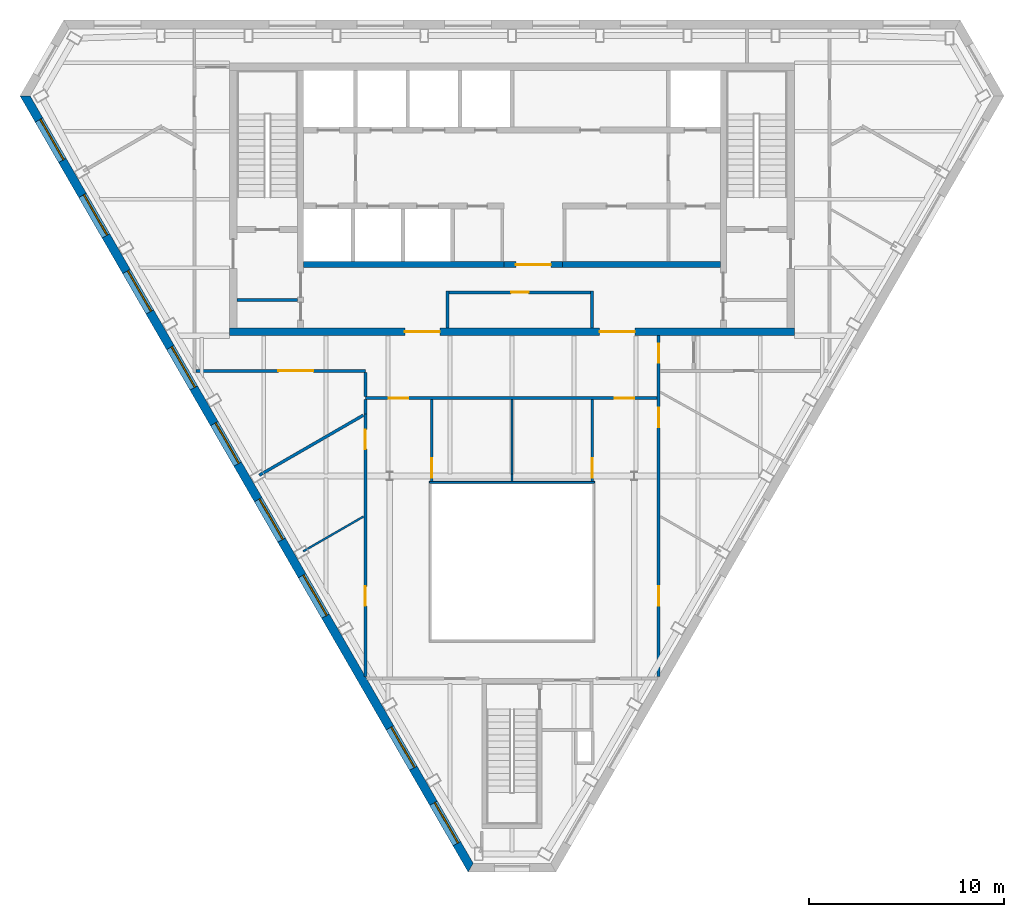
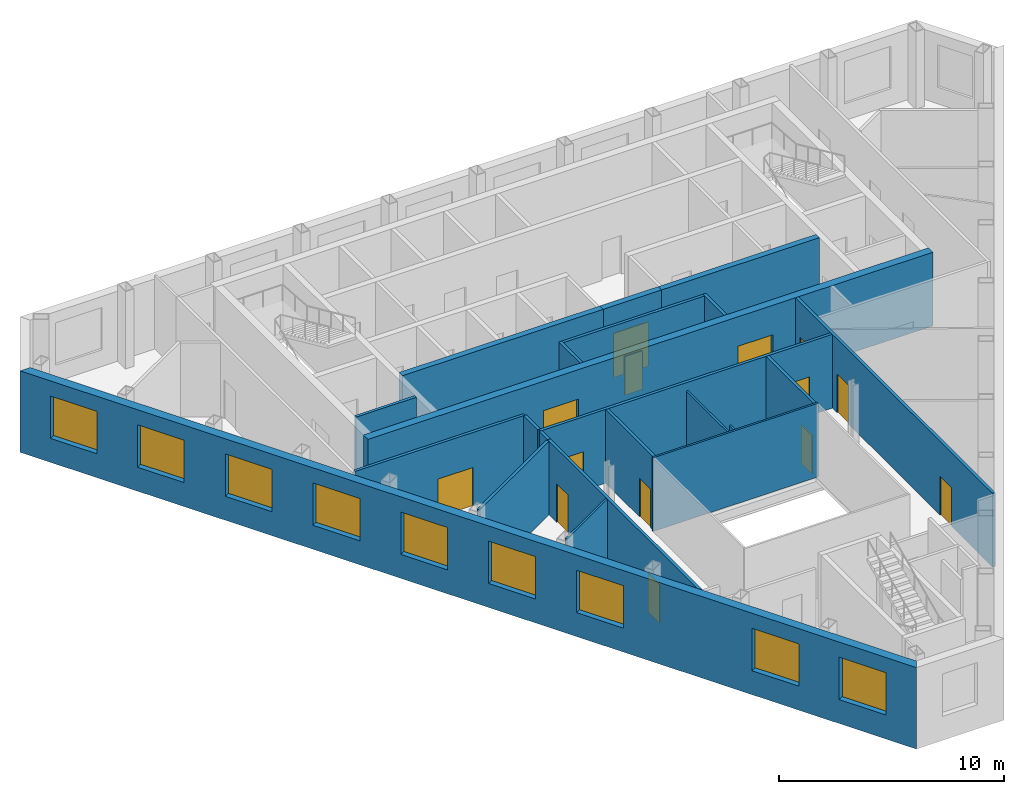
# One storey, part 5 of 11: 22 walls, 14 doors, 9 windows, 23 openings.
"""IFC4 building model written with IfcOpenShell, lengths in metres."""

import ifcopenshell
import ifcopenshell.guid

model = None  # the IFC model being written
_history = None  # IfcOwnerHistory: only IFC2X3 demands one
_inside = {}  # id of a spatial element -> (the spatial element, [elements in it])
_under = {}  # id of a project, library or spatial element -> (it, [spatial elements below it])
_declared = {}  # id of a project -> (the project, [libraries it declares])
_typed = {}  # id of a type object -> (the type object, [elements of that type])
_made_of = {}  # id of a material, layer set ... -> (it, [elements and type objects made of it])


def new_model(schema):
    """Start an empty IFC model of exactly this schema.

    Asked for "IFC4X3", IfcOpenShell would pick the latest addendum, in which some entities
    have other attributes; the version numbers below select the first issue.
    IFC2X3 requires an IfcOwnerHistory on every rooted entity: one is made here for all.
    """
    global model, _history
    if schema == "IFC4X3":
        model = ifcopenshell.file(schema_version=(4, 3, 0, 0))
    else:
        model = ifcopenshell.file(schema=schema)
    _inside.clear()
    _under.clear()
    _declared.clear()
    _typed.clear()
    _made_of.clear()
    _history = None
    if model.schema == "IFC2X3":
        org = make("IfcOrganization", Name="unknown")
        user = make(
            "IfcPersonAndOrganization",
            ThePerson=make("IfcPerson", FamilyName="unknown"),
            TheOrganization=org,
        )
        app = make(
            "IfcApplication",
            ApplicationDeveloper=org,
            Version="unknown",
            ApplicationFullName="unknown",
            ApplicationIdentifier="unknown",
        )
        _history = make(
            "IfcOwnerHistory",
            OwningUser=user,
            OwningApplication=app,
            ChangeAction="ADDED",
            CreationDate=0,
        )
    return model


def make(cls, **values):
    """One entity of the class cls with the attributes given. An attribute that is None is left unset."""
    return model.create_entity(
        cls, **{name: value for name, value in values.items() if value is not None}
    )


def rooted(cls, **values):
    """An entity with a GlobalId (a new one), such as an element, a storey or a relation."""
    return make(cls, GlobalId=ifcopenshell.guid.new(), OwnerHistory=_history, **values)


def si_unit(unit_type, name, prefix=None):
    """IfcSIUnit, for example si_unit("LENGTHUNIT", "METRE", prefix="MILLI")."""
    return make("IfcSIUnit", UnitType=unit_type, Prefix=prefix, Name=name)


def assignment(units):
    """IfcUnitAssignment: the units of a project."""
    return None if units is None else make("IfcUnitAssignment", Units=units)


def point(xyz):
    """IfcCartesianPoint."""
    return None if xyz is None else make("IfcCartesianPoint", Coordinates=xyz)


def direction(xyz):
    """IfcDirection."""
    return None if xyz is None else make("IfcDirection", DirectionRatios=xyz)


def frame(location, z_axis=None, x_axis=None):
    """IfcAxis2Placement3D, a coordinate frame: its origin and axes. An axis left out is left unset."""
    return make(
        "IfcAxis2Placement3D",
        Location=point(location),
        Axis=direction(z_axis),
        RefDirection=direction(x_axis),
    )


def frame_2d(location, x_axis=None):
    """IfcAxis2Placement2D, a coordinate frame in the plane: its origin and x axis."""
    return make(
        "IfcAxis2Placement2D", Location=point(location), RefDirection=direction(x_axis)
    )


def origin():
    """The frame at (0, 0, 0) with its axes left unset."""
    return frame((0.0, 0.0, 0.0))


def place(relative_to, where):
    """IfcLocalPlacement: puts the frame where relative to a parent placement (None: the world)."""
    return make(
        "IfcLocalPlacement", PlacementRelTo=relative_to, RelativePlacement=where
    )


def context(
    kind, dimensions, precision=None, world=None, true_north=None, identifier=None
):
    """IfcGeometricRepresentationContext, for example the 3D "Model" context."""
    return make(
        "IfcGeometricRepresentationContext",
        ContextIdentifier=identifier,
        ContextType=kind,
        CoordinateSpaceDimension=dimensions,
        Precision=precision,
        WorldCoordinateSystem=world,
        TrueNorth=true_north,
    )


def subcontext(parent, identifier, kind, view, scale=None):
    """IfcGeometricRepresentationSubContext, for example "Body" below "Model"."""
    return make(
        "IfcGeometricRepresentationSubContext",
        ContextIdentifier=identifier,
        ContextType=kind,
        ParentContext=parent,
        TargetScale=scale,
        TargetView=view,
    )


def project(units=None, contexts=None):
    """IfcProject with its units and contexts."""
    return rooted(
        "IfcProject",
        Name="project",
        RepresentationContexts=contexts,
        UnitsInContext=assignment(units),
    )


def spatial(cls, under=None, at=None, **own):
    """A site, building, storey or space (cls), placed at a placement, below another one or the project."""
    s = rooted(cls, ObjectPlacement=at, **own)
    if under is not None:
        _under.setdefault(under.id(), (under, []))[1].append(s)
    return s


def polyline(points):
    """IfcPolyline through the points."""
    return make("IfcPolyline", Points=[point(p) for p in points])


def profile(cls, at=None, kind="AREA", **sizes):
    """A parametric profile (cls). Its sizes go by their IFC names, for example OverallWidth=200.0."""
    return make(cls, ProfileType=kind, Position=at, **sizes)


def rectangle(**sizes):
    """IfcRectangleProfileDef."""
    return profile("IfcRectangleProfileDef", **sizes)


def outline(outer, holes=None, kind="AREA"):
    """IfcArbitraryClosedProfileDef: a profile drawn as a closed curve; with holes, ...WithVoids."""
    if holes is None:
        return make("IfcArbitraryClosedProfileDef", ProfileType=kind, OuterCurve=outer)
    return make(
        "IfcArbitraryProfileDefWithVoids",
        ProfileType=kind,
        OuterCurve=outer,
        InnerCurves=holes,
    )


def extrude(swept, where, along, depth):
    """IfcExtrudedAreaSolid: the profile swept, set in the frame where, extruded along a direction by depth."""
    return make(
        "IfcExtrudedAreaSolid",
        SweptArea=swept,
        Position=where,
        ExtrudedDirection=direction(along),
        Depth=depth,
    )


def shape(context_of_items, identifier, shape_type, items):
    """IfcShapeRepresentation: the items that make up one representation, for example the "Body"."""
    return make(
        "IfcShapeRepresentation",
        ContextOfItems=context_of_items,
        RepresentationIdentifier=identifier,
        RepresentationType=shape_type,
        Items=items,
    )


def material(Name=None, Category=None):
    """IfcMaterial."""
    return make("IfcMaterial", Name=Name, Category=Category)


def layer(
    of_material, thickness, ventilated=None, Name=None, Category=None, Priority=None
):
    """IfcMaterialLayer: one layer of a wall or slab, of a material (None: an air gap)."""
    return make(
        "IfcMaterialLayer",
        Material=of_material,
        LayerThickness=thickness,
        IsVentilated=ventilated,
        Name=Name,
        Category=Category,
        Priority=Priority,
    )


def layer_set(layers, Name=None):
    """IfcMaterialLayerSet."""
    return make("IfcMaterialLayerSet", MaterialLayers=layers, LayerSetName=Name)


def made_of(thing, what):
    """Note that an element or type object is made of a material, layer set ...; save() writes the relation."""
    if what is not None:
        _made_of.setdefault(what.id(), (what, []))[1].append(thing)
    return thing


def type_object(cls, material=None, **own):
    """A type object (cls), such as IfcWallType, which elements share."""
    return made_of(rooted(cls, **own), material)


def element(
    cls,
    number,
    at=None,
    inside=None,
    cuts=None,
    type_object=None,
    material=None,
    context=None,
    identifier="Body",
    shape_type=None,
    held_by="IfcProductDefinitionShape",
    body=None,
    shapes=None,
    **own,
):
    """One element of the class cls, such as IfcWall. Its Tag is "e" and its number.

    at: its placement. inside: the storey or other place that contains it. cuts: it is an
    opening in that element (IfcRelVoidsElement). A single representation is given by context,
    identifier, shape_type and body (its items); several are given by shapes. held_by: the class
    of the entity that holds the representations. save() writes the other relations.
    """
    e = rooted(cls, Tag="e%d" % number, ObjectPlacement=at, **own)
    if body is not None:
        shapes = [shape(context, identifier, shape_type, body)]
    if shapes is not None:
        e.Representation = make(held_by, Representations=shapes)
    if inside is not None:
        _inside.setdefault(inside.id(), (inside, []))[1].append(e)
    if cuts is not None:
        rooted(
            "IfcRelVoidsElement", RelatingBuildingElement=cuts, RelatedOpeningElement=e
        )
    if type_object is not None:
        _typed.setdefault(type_object.id(), (type_object, []))[1].append(e)
    return made_of(e, material)


def fill(opening, filler):
    """IfcRelFillsElement: the door or window that sits in an opening."""
    return rooted(
        "IfcRelFillsElement",
        RelatingOpeningElement=opening,
        RelatedBuildingElement=filler,
    )


def aggregate(whole, parts):
    """IfcRelAggregates: a whole, such as a stair, and the parts it consists of."""
    return rooted("IfcRelAggregates", RelatingObject=whole, RelatedObjects=parts)


def save(model, path):
    """Write the relations noted so far, then the file.

    IfcRelAggregates (storeys below a building ...), IfcRelContainedInSpatialStructure (elements
    in a storey), IfcRelDefinesByType, IfcRelAssociatesMaterial and IfcRelDeclares: one each for
    every whole, place, type object, material and project.
    """
    for whole, parts in _under.values():
        aggregate(whole, parts)
    for where, things in _inside.values():
        rooted(
            "IfcRelContainedInSpatialStructure",
            RelatedElements=things,
            RelatingStructure=where,
        )
    for kind, things in _typed.values():
        rooted("IfcRelDefinesByType", RelatedObjects=things, RelatingType=kind)
    for what, things in _made_of.values():
        rooted("IfcRelAssociatesMaterial", RelatedObjects=things, RelatingMaterial=what)
    for by, libraries in _declared.values():
        rooted("IfcRelDeclares", RelatingContext=by, RelatedDefinitions=libraries)
    model.write(path)


model = new_model("IFC4")

# Units and contexts
model_context = context("Model", 3, precision=1e-05, world=origin(), true_north=direction((0.0, 1.0)))
body_context = subcontext(model_context, "Body", "Model", "MODEL_VIEW")
ifc_project = project(units=[si_unit("LENGTHUNIT", "METRE"), si_unit("AREAUNIT", "SQUARE_METRE"), si_unit("VOLUMEUNIT", "CUBIC_METRE"), si_unit("PLANEANGLEUNIT", "RADIAN"), si_unit("MASSUNIT", "GRAM", prefix="KILO")], contexts=[model_context])

# Site, building, storey
site_placement = place(None, origin())
site = spatial("IfcSite", under=ifc_project, at=site_placement, CompositionType="ELEMENT")
building_placement = place(site_placement, origin())
building = spatial("IfcBuilding", under=site, at=building_placement, Name="Njiva Tower", CompositionType="ELEMENT")
storey_placement = place(building_placement, frame((0.0, 0.0, 316.8)))
storey = spatial("IfcBuildingStorey", under=building, at=storey_placement, Name="L72", CompositionType="ELEMENT", Elevation=316.8)

# Walls
ifc_material_1 = material(Name="Blockwork", Category="masonry")
ifc_layer_1 = layer(ifc_material_1, 0.15)
ifc_layer_set_1 = layer_set([ifc_layer_1], Name="Blockwork")
wall_type_1 = type_object("IfcWallType", Name="WT1 Compartment partition 150", PredefinedType="PARTITIONING", material=ifc_layer_set_1)
wall_1_placement = place(storey_placement, frame((-14.1, 5.825, 0.0), z_axis=(0.0, 0.0, 1.0), x_axis=(1.0, 0.0, 0.0)))
element("IfcWall", 1, at=wall_1_placement, inside=storey, type_object=wall_type_1, Name="Room wall A", PredefinedType="PARTITIONING", context=body_context, shape_type="SweptSolid", body=[
    extrude(rectangle(XDim=3.1, YDim=0.15, at=frame_2d((1.55, 0.0))), origin(), (0.0, 0.0, 1.0), 4.0),
])
for number, where, z_axis, x_axis, name in (
    (2, (-3.3, 4.4, 0.0), (0.0, 0.0, 1.0), (0.0, 1.0, 0.0), "Information office wall west"),
    (3, (4.1, 4.4, 0.0), (0.0, 0.0, 1.0), (0.0, 1.0, 0.0), "Information office wall east"),
):
    element("IfcWall", number, at=place(storey_placement, frame(where, z_axis=z_axis, x_axis=x_axis)), inside=storey, type_object=wall_type_1, Name=name, PredefinedType="PARTITIONING", context=body_context, shape_type="SweptSolid", body=[
        extrude(rectangle(XDim=1.895, YDim=0.15, at=frame_2d((0.9475, 0.0))), origin(), (0.0, 0.0, 1.0), 4.0),
    ])

# Wall, opening, door
wall_2_placement = place(storey_placement, frame((-3.225, 6.22, 0.0), z_axis=(0.0, 0.0, 1.0), x_axis=(1.0, 0.0, 0.0)))
wall_2 = element("IfcWall", 4, at=wall_2_placement, inside=storey, type_object=wall_type_1, Name="Information office wall north", PredefinedType="PARTITIONING", context=body_context, shape_type="SweptSolid", body=[
    extrude(rectangle(XDim=7.25, YDim=0.15, at=frame_2d((3.625, 0.0))), origin(), (0.0, 0.0, 1.0), 4.0),
])
opening_1_placement = place(wall_2_placement, frame((3.175, 0.0, 0.0)))
opening_1 = element("IfcOpeningElement", 5, at=opening_1_placement, cuts=wall_2, Name="Opening S24-D923", PredefinedType="OPENING", context=body_context, shape_type="SweptSolid", body=[
    extrude(rectangle(XDim=0.9, YDim=2.1, at=frame_2d((0.45, 1.05))), frame((0.0, 0.085, 0.0), z_axis=(0.0, -1.0, 0.0), x_axis=(1.0, 0.0, 0.0)), (0.0, 0.0, 1.0), 0.17),
])
ifc_material_2 = material(Name="Steel fire door, painted", Category="steel")
door_type_1 = type_object("IfcDoorType", Name="D6 Fire-rated door 900x2100", OperationType="SINGLE_SWING_LEFT", PredefinedType="DOOR", material=ifc_material_2)
door_1_placement = place(opening_1_placement, origin())
door_1 = element("IfcDoor", 6, at=door_1_placement, inside=storey, type_object=door_type_1, Name="Information office door", OperationType="SINGLE_SWING_LEFT", OverallHeight=2.1, OverallWidth=0.9, PredefinedType="DOOR", context=body_context, shape_type="SweptSolid", body=[
    extrude(rectangle(XDim=0.9, YDim=2.1, at=frame_2d((0.45, 1.05))), frame((0.0, 0.025, 0.0), z_axis=(0.0, -1.0, 0.0), x_axis=(1.0, 0.0, 0.0)), (0.0, 0.0, 1.0), 0.05),
])
fill(opening_1, door_1)

# Wall, openings, doors
ifc_material_3 = material(Name="Concrete C60/75", Category="concrete")
ifc_layer_2 = layer(ifc_material_3, 0.4)
ifc_layer_set_2 = layer_set([ifc_layer_2], Name="Concrete C60/75")
wall_type_2 = type_object("IfcWallType", Name="WT11 Core wall 400", PredefinedType="SHEAR", material=ifc_layer_set_2)
wall_3_placement = place(storey_placement, frame((-14.5, 4.2, 0.0), z_axis=(0.0, 0.0, 1.0), x_axis=(1.0, 0.0, 0.0)))
wall_3 = element("IfcWall", 7, at=wall_3_placement, inside=storey, type_object=wall_type_2, Name="Core wall south", PredefinedType="SHEAR", context=body_context, shape_type="SweptSolid", body=[
    extrude(rectangle(XDim=29.0, YDim=0.4, at=frame_2d((14.5, 0.0))), origin(), (0.0, 0.0, 1.0), 4.0),
])
opening_2_placement = place(wall_3_placement, frame((9.0, 0.0, 0.0)))
opening_2 = element("IfcOpeningElement", 8, at=opening_2_placement, cuts=wall_3, Name="Opening S24-D925", PredefinedType="OPENING", context=body_context, shape_type="SweptSolid", body=[
    extrude(rectangle(XDim=1.8, YDim=2.4, at=frame_2d((0.9, 1.2))), frame((0.0, 0.21, 0.0), z_axis=(0.0, -1.0, 0.0), x_axis=(1.0, 0.0, 0.0)), (0.0, 0.0, 1.0), 0.42),
])
opening_3_placement = place(wall_3_placement, frame((19.0, 0.0, 0.0)))
opening_3 = element("IfcOpeningElement", 9, at=opening_3_placement, cuts=wall_3, Name="Opening S24-D926", PredefinedType="OPENING", context=body_context, shape_type="SweptSolid", body=[
    extrude(rectangle(XDim=1.8, YDim=2.4, at=frame_2d((0.9, 1.2))), frame((0.0, 0.21, 0.0), z_axis=(0.0, -1.0, 0.0), x_axis=(1.0, 0.0, 0.0)), (0.0, 0.0, 1.0), 0.42),
])
ifc_material_4 = material(Name="Steel and glass door", Category="steel")
door_type_2 = type_object("IfcDoorType", Name="D3 Core entrance door 1800x2400", OperationType="DOUBLE_DOOR_SINGLE_SWING", PredefinedType="DOOR", material=ifc_material_4)
door_2_placement = place(opening_2_placement, origin())
door_2 = element("IfcDoor", 10, at=door_2_placement, inside=storey, type_object=door_type_2, Name="Core entrance door", OperationType="DOUBLE_DOOR_SINGLE_SWING", OverallHeight=2.4, OverallWidth=1.8, PredefinedType="DOOR", context=body_context, shape_type="SweptSolid", body=[
    extrude(rectangle(XDim=1.8, YDim=2.4, at=frame_2d((0.9, 1.2))), frame((0.0, 0.025, 0.0), z_axis=(0.0, -1.0, 0.0), x_axis=(1.0, 0.0, 0.0)), (0.0, 0.0, 1.0), 0.05),
])
fill(opening_2, door_2)
door_3_placement = place(opening_3_placement, origin())
door_3 = element("IfcDoor", 11, at=door_3_placement, inside=storey, type_object=door_type_2, Name="Core entrance door", OperationType="DOUBLE_DOOR_SINGLE_SWING", OverallHeight=2.4, OverallWidth=1.8, PredefinedType="DOOR", context=body_context, shape_type="SweptSolid", body=[
    extrude(rectangle(XDim=1.8, YDim=2.4, at=frame_2d((0.9, 1.2))), frame((0.0, 0.025, 0.0), z_axis=(0.0, -1.0, 0.0), x_axis=(1.0, 0.0, 0.0)), (0.0, 0.0, 1.0), 0.05),
])
fill(opening_3, door_3)

# Walls
ifc_material_5 = material(Name="Gypsum board on steel studs", Category="gypsum")
ifc_layer_3 = layer(ifc_material_5, 0.1)
ifc_layer_set_3 = layer_set([ifc_layer_3], Name="Gypsum board on steel studs")
wall_type_3 = type_object("IfcWallType", Name="WT20 Gypsum partition 100", PredefinedType="PARTITIONING", material=ifc_layer_set_3)
wall_4_placement = place(storey_placement, frame((-10.715, -7.064, 0.0), z_axis=(0.0, 0.0, 1.0), x_axis=(0.866134332687, 0.499811282126, 0.0)))
element("IfcWall", 12, at=wall_4_placement, inside=storey, type_object=wall_type_3, Name="Partition S24-P008", PredefinedType="PARTITIONING", context=body_context, shape_type="SweptSolid", body=[
    extrude(rectangle(XDim=3.5733, YDim=0.1, at=frame_2d((1.7866, 0.0))), origin(), (0.0, 0.0, 1.0), 4.0),
])
wall_5_placement = place(storey_placement, frame((-0.001, 0.725, 0.0), z_axis=(0.0, 0.0, 1.0), x_axis=(0.000235294111, -0.999999972318, 0.0)))
element("IfcWall", 13, at=wall_5_placement, inside=storey, type_object=wall_type_3, Name="Partition S24-P017", PredefinedType="PARTITIONING", context=body_context, shape_type="SweptSolid", body=[
    extrude(rectangle(XDim=3.825, YDim=0.1, at=frame_2d((1.9125, 0.0))), origin(), (0.0, 0.0, 1.0), 3.55),
])
wall_6_placement = place(storey_placement, frame((-0.0001, -3.1, 0.0), z_axis=(0.0, 0.0, 1.0), x_axis=(0.000263157886, -0.999999965374, 0.0)))
element("IfcWall", 14, at=wall_6_placement, inside=storey, type_object=wall_type_3, Name="Partition S24-P017A", PredefinedType="PARTITIONING", context=body_context, shape_type="SweptSolid", body=[
    extrude(rectangle(XDim=0.38, YDim=0.1, at=frame_2d((0.19, 0.0))), origin(), (0.0, 0.0, 1.0), 4.0),
])

# Wall, opening, door
ifc_layer_4 = layer(ifc_material_5, 0.15)
ifc_layer_set_4 = layer_set([ifc_layer_4], Name="Gypsum board on steel studs")
wall_type_4 = type_object("IfcWallType", Name="WT21 Compartment wall 150", PredefinedType="PARTITIONING", material=ifc_layer_set_4)
wall_7_placement = place(storey_placement, frame((-16.225, 2.2, 0.0), z_axis=(0.0, 0.0, 1.0), x_axis=(1.0, 0.0, 0.0)))
wall_7 = element("IfcWall", 15, at=wall_7_placement, inside=storey, type_object=wall_type_4, Name="Partition S24-P005", PredefinedType="PARTITIONING", context=body_context, shape_type="SweptSolid", body=[
    extrude(rectangle(XDim=8.703, YDim=0.15, at=frame_2d((4.3515, 0.0))), origin(), (0.0, 0.0, 1.0), 4.0),
])
opening_4_placement = place(wall_7_placement, frame((4.232, 0.0, 0.0)))
opening_4 = element("IfcOpeningElement", 16, at=opening_4_placement, cuts=wall_7, Name="Opening S24-D003", PredefinedType="OPENING", context=body_context, shape_type="SweptSolid", body=[
    extrude(rectangle(XDim=1.8, YDim=2.1, at=frame_2d((0.9, 1.05))), frame((0.0, 0.085, 0.0), z_axis=(0.0, -1.0, 0.0), x_axis=(1.0, 0.0, 0.0)), (0.0, 0.0, 1.0), 0.17),
])
ifc_material_6 = material(Name="Steel fire door set", Category="steel")
door_type_3 = type_object("IfcDoorType", Name="D38 Fire door 1800x2100", OperationType="DOUBLE_DOOR_SINGLE_SWING", PredefinedType="DOOR", material=ifc_material_6)
door_4_placement = place(opening_4_placement, origin())
door_4 = element("IfcDoor", 17, at=door_4_placement, inside=storey, type_object=door_type_3, Name="Door S24-D003", OperationType="DOUBLE_DOOR_SINGLE_SWING", OverallHeight=2.1, OverallWidth=1.8, PredefinedType="DOOR", context=body_context, shape_type="SweptSolid", body=[
    extrude(rectangle(XDim=1.8, YDim=2.1, at=frame_2d((0.9, 1.05))), frame((0.0, 0.025, 0.0), z_axis=(0.0, -1.0, 0.0), x_axis=(1.0, 0.0, 0.0)), (0.0, 0.0, 1.0), 0.05),
])
fill(opening_4, door_4)

# Wall
wall_8_placement = place(storey_placement, frame((-12.968, -3.161, 0.0), z_axis=(0.0, 0.0, 1.0), x_axis=(0.8660774803, 0.499909789979, 0.0)))
element("IfcWall", 18, at=wall_8_placement, inside=storey, type_object=wall_type_4, Name="Partition S24-P007", PredefinedType="PARTITIONING", context=body_context, shape_type="SweptSolid", body=[
    extrude(rectangle(XDim=6.1611, YDim=0.15, at=frame_2d((3.0806, 0.0))), origin(), (0.0, 0.0, 1.0), 4.0),
])

# Wall, openings, doors
wall_9_placement = place(storey_placement, frame((-7.52, -13.498, 0.0), z_axis=(0.0, 0.0, 1.0), x_axis=(0.0, 1.0, 0.0)))
wall_9 = element("IfcWall", 19, at=wall_9_placement, inside=storey, type_object=wall_type_4, Name="Partition S24-P009", PredefinedType="PARTITIONING", context=body_context, shape_type="SweptSolid", body=[
    extrude(rectangle(XDim=13.482, YDim=0.15, at=frame_2d((6.741, 0.0))), origin(), (0.0, 0.0, 1.0), 4.0),
])
opening_5_placement = place(wall_9_placement, frame((3.639, 0.0, 0.0)))
opening_5 = element("IfcOpeningElement", 20, at=opening_5_placement, cuts=wall_9, Name="Opening S24-D005", PredefinedType="OPENING", context=body_context, shape_type="SweptSolid", body=[
    extrude(rectangle(XDim=1.0, YDim=2.1, at=frame_2d((0.5, 1.05))), frame((0.0, 0.085, 0.0), z_axis=(0.0, -1.0, 0.0), x_axis=(1.0, 0.0, 0.0)), (0.0, 0.0, 1.0), 0.17),
])
opening_6_placement = place(wall_9_placement, frame((11.681, 0.0, 0.0)))
opening_6 = element("IfcOpeningElement", 21, at=opening_6_placement, cuts=wall_9, Name="Opening S24-D006", PredefinedType="OPENING", context=body_context, shape_type="SweptSolid", body=[
    extrude(rectangle(XDim=1.0, YDim=2.1, at=frame_2d((0.5, 1.05))), frame((0.0, 0.085, 0.0), z_axis=(0.0, -1.0, 0.0), x_axis=(1.0, 0.0, 0.0)), (0.0, 0.0, 1.0), 0.17),
])
door_type_4 = type_object("IfcDoorType", Name="D37 Fire door 1000x2100", OperationType="SINGLE_SWING_LEFT", PredefinedType="DOOR", material=ifc_material_6)
door_5_placement = place(opening_5_placement, origin())
door_5 = element("IfcDoor", 22, at=door_5_placement, inside=storey, type_object=door_type_4, Name="Door S24-D005", OperationType="SINGLE_SWING_RIGHT", OverallHeight=2.1, OverallWidth=1.0, PredefinedType="DOOR", context=body_context, shape_type="SweptSolid", body=[
    extrude(rectangle(XDim=1.0, YDim=2.1, at=frame_2d((0.5, 1.05))), frame((0.0, 0.025, 0.0), z_axis=(0.0, -1.0, 0.0), x_axis=(1.0, 0.0, 0.0)), (0.0, 0.0, 1.0), 0.05),
])
fill(opening_5, door_5)
door_6_placement = place(opening_6_placement, origin())
door_6 = element("IfcDoor", 23, at=door_6_placement, inside=storey, type_object=door_type_4, Name="Door S24-D006", OperationType="SINGLE_SWING_LEFT", OverallHeight=2.1, OverallWidth=1.0, PredefinedType="DOOR", context=body_context, shape_type="SweptSolid", body=[
    extrude(rectangle(XDim=1.0, YDim=2.1, at=frame_2d((0.5, 1.05))), frame((0.0, 0.025, 0.0), z_axis=(0.0, -1.0, 0.0), x_axis=(1.0, 0.0, 0.0)), (0.0, 0.0, 1.0), 0.05),
])
fill(opening_6, door_6)

# Wall
wall_10_placement = place(storey_placement, frame((-7.52, -0.014, 0.0), z_axis=(0.0, 0.0, 1.0), x_axis=(0.0, 1.0, 0.0)))
element("IfcWall", 24, at=wall_10_placement, inside=storey, type_object=wall_type_4, Name="Partition S24-P010", PredefinedType="PARTITIONING", context=body_context, shape_type="SweptSolid", body=[
    extrude(rectangle(XDim=0.739, YDim=0.15, at=frame_2d((0.3695, 0.0))), origin(), (0.0, 0.0, 1.0), 4.0),
])

# Wall, openings, doors
wall_11_placement = place(storey_placement, frame((-7.52, 0.8, 0.0), z_axis=(0.0, 0.0, 1.0), x_axis=(1.0, 0.0, 0.0)))
wall_11 = element("IfcWall", 25, at=wall_11_placement, inside=storey, type_object=wall_type_4, Name="Partition S24-P011", PredefinedType="PARTITIONING", context=body_context, shape_type="SweptSolid", body=[
    extrude(rectangle(XDim=14.965, YDim=0.15, at=frame_2d((7.4825, 0.0))), origin(), (0.0, 0.0, 1.0), 4.0),
])
opening_7_placement = place(wall_11_placement, frame((1.206, 0.0, 0.0)))
opening_7 = element("IfcOpeningElement", 26, at=opening_7_placement, cuts=wall_11, Name="Opening S24-D007", PredefinedType="OPENING", context=body_context, shape_type="SweptSolid", body=[
    extrude(rectangle(XDim=1.0, YDim=2.1, at=frame_2d((0.5, 1.05))), frame((0.0, 0.085, 0.0), z_axis=(0.0, -1.0, 0.0), x_axis=(1.0, 0.0, 0.0)), (0.0, 0.0, 1.0), 0.17),
])
opening_8_placement = place(wall_11_placement, frame((12.796, 0.0, 0.0)))
opening_8 = element("IfcOpeningElement", 27, at=opening_8_placement, cuts=wall_11, Name="Opening S24-D008", PredefinedType="OPENING", context=body_context, shape_type="SweptSolid", body=[
    extrude(rectangle(XDim=1.0, YDim=2.1, at=frame_2d((0.5, 1.05))), frame((0.0, 0.085, 0.0), z_axis=(0.0, -1.0, 0.0), x_axis=(1.0, 0.0, 0.0)), (0.0, 0.0, 1.0), 0.17),
])
door_7_placement = place(opening_7_placement, origin())
door_7 = element("IfcDoor", 28, at=door_7_placement, inside=storey, type_object=door_type_4, Name="Door S24-D007", OperationType="SINGLE_SWING_RIGHT", OverallHeight=2.1, OverallWidth=1.0, PredefinedType="DOOR", context=body_context, shape_type="SweptSolid", body=[
    extrude(rectangle(XDim=1.0, YDim=2.1, at=frame_2d((0.5, 1.05))), frame((0.0, 0.025, 0.0), z_axis=(0.0, -1.0, 0.0), x_axis=(1.0, 0.0, 0.0)), (0.0, 0.0, 1.0), 0.05),
])
fill(opening_7, door_7)
door_8_placement = place(opening_8_placement, origin())
door_8 = element("IfcDoor", 29, at=door_8_placement, inside=storey, type_object=door_type_4, Name="Door S24-D008", OperationType="SINGLE_SWING_LEFT", OverallHeight=2.1, OverallWidth=1.0, PredefinedType="DOOR", context=body_context, shape_type="SweptSolid", body=[
    extrude(rectangle(XDim=1.0, YDim=2.1, at=frame_2d((0.5, 1.05))), frame((0.0, 0.025, 0.0), z_axis=(0.0, -1.0, 0.0), x_axis=(1.0, 0.0, 0.0)), (0.0, 0.0, 1.0), 0.05),
])
fill(opening_8, door_8)

# Wall
wall_12_placement = place(storey_placement, frame((-7.52, 0.875, 0.0), z_axis=(0.0, 0.0, 1.0), x_axis=(0.0, 1.0, 0.0)))
element("IfcWall", 30, at=wall_12_placement, inside=storey, type_object=wall_type_4, Name="Partition S24-P012", PredefinedType="PARTITIONING", context=body_context, shape_type="SweptSolid", body=[
    extrude(rectangle(XDim=1.25, YDim=0.15, at=frame_2d((0.625, 0.0))), origin(), (0.0, 0.0, 1.0), 4.0),
])

# Wall, opening, door
wall_13_placement = place(storey_placement, frame((-4.12, 0.725, 0.0), z_axis=(0.0, 0.0, 1.0), x_axis=(0.000237812122, -0.999999971723, 0.0)))
wall_13 = element("IfcWall", 31, at=wall_13_placement, inside=storey, type_object=wall_type_4, Name="Partition S24-P014", PredefinedType="PARTITIONING", context=body_context, shape_type="SweptSolid", body=[
    extrude(rectangle(XDim=4.205, YDim=0.15, at=frame_2d((2.1025, 0.0))), origin(), (0.0, 0.0, 1.0), 4.0),
])
opening_9_placement = place(wall_13_placement, frame((3.005, 0.0, 0.0)))
opening_9 = element("IfcOpeningElement", 32, at=opening_9_placement, cuts=wall_13, Name="Opening S24-D010", PredefinedType="OPENING", context=body_context, shape_type="SweptSolid", body=[
    extrude(rectangle(XDim=1.0, YDim=2.1, at=frame_2d((0.5, 1.05))), frame((0.0, 0.085, 0.0), z_axis=(0.0, -1.0, 0.0), x_axis=(1.0, 0.0, 0.0)), (0.0, 0.0, 1.0), 0.17),
])
door_9_placement = place(opening_9_placement, origin())
door_9 = element("IfcDoor", 33, at=door_9_placement, inside=storey, type_object=door_type_4, Name="Door S24-D010", OperationType="SINGLE_SWING_LEFT", OverallHeight=2.1, OverallWidth=1.0, PredefinedType="DOOR", context=body_context, shape_type="SweptSolid", body=[
    extrude(rectangle(XDim=1.0, YDim=2.1, at=frame_2d((0.5, 1.05))), frame((0.0, 0.025, 0.0), z_axis=(0.0, -1.0, 0.0), x_axis=(1.0, 0.0, 0.0)), (0.0, 0.0, 1.0), 0.05),
])
fill(opening_9, door_9)

wall_14_placement = place(storey_placement, frame((4.119, 0.725, 0.0), z_axis=(0.0, 0.0, 1.0), x_axis=(0.000237812122, -0.999999971723, 0.0)))
wall_14 = element("IfcWall", 34, at=wall_14_placement, inside=storey, type_object=wall_type_4, Name="Partition S24-P018", PredefinedType="PARTITIONING", context=body_context, shape_type="SweptSolid", body=[
    extrude(rectangle(XDim=4.205, YDim=0.15, at=frame_2d((2.1025, 0.0))), origin(), (0.0, 0.0, 1.0), 4.0),
])
opening_10_placement = place(wall_14_placement, frame((3.005, 0.0, 0.0)))
opening_10 = element("IfcOpeningElement", 35, at=opening_10_placement, cuts=wall_14, Name="Opening S24-D011", PredefinedType="OPENING", context=body_context, shape_type="SweptSolid", body=[
    extrude(rectangle(XDim=1.0, YDim=2.1, at=frame_2d((0.5, 1.05))), frame((0.0, 0.085, 0.0), z_axis=(0.0, -1.0, 0.0), x_axis=(1.0, 0.0, 0.0)), (0.0, 0.0, 1.0), 0.17),
])
door_10_placement = place(opening_10_placement, origin())
door_10 = element("IfcDoor", 36, at=door_10_placement, inside=storey, type_object=door_type_4, Name="Door S24-D011", OperationType="SINGLE_SWING_RIGHT", OverallHeight=2.1, OverallWidth=1.0, PredefinedType="DOOR", context=body_context, shape_type="SweptSolid", body=[
    extrude(rectangle(XDim=1.0, YDim=2.1, at=frame_2d((0.5, 1.05))), frame((0.0, 0.025, 0.0), z_axis=(0.0, -1.0, 0.0), x_axis=(1.0, 0.0, 0.0)), (0.0, 0.0, 1.0), 0.05),
])
fill(opening_10, door_10)

# Wall, openings, doors
wall_15_placement = place(storey_placement, frame((7.52, -13.498, 0.0), z_axis=(0.0, 0.0, 1.0), x_axis=(0.0, 1.0, 0.0)))
wall_15 = element("IfcWall", 37, at=wall_15_placement, inside=storey, type_object=wall_type_4, Name="Partition S24-P020", PredefinedType="PARTITIONING", context=body_context, shape_type="SweptSolid", body=[
    extrude(rectangle(XDim=17.498, YDim=0.15, at=frame_2d((8.749, 0.0))), origin(), (0.0, 0.0, 1.0), 4.0),
])
opening_11_placement = place(wall_15_placement, frame((3.639, 0.0, 0.0)))
opening_11 = element("IfcOpeningElement", 38, at=opening_11_placement, cuts=wall_15, Name="Opening S24-D013", PredefinedType="OPENING", context=body_context, shape_type="SweptSolid", body=[
    extrude(rectangle(XDim=1.0, YDim=2.1, at=frame_2d((0.5, 1.05))), frame((0.0, 0.085, 0.0), z_axis=(0.0, -1.0, 0.0), x_axis=(1.0, 0.0, 0.0)), (0.0, 0.0, 1.0), 0.17),
])
opening_12_placement = place(wall_15_placement, frame((12.808, 0.0, 0.0)))
opening_12 = element("IfcOpeningElement", 39, at=opening_12_placement, cuts=wall_15, Name="Opening S24-D014", PredefinedType="OPENING", context=body_context, shape_type="SweptSolid", body=[
    extrude(rectangle(XDim=1.0, YDim=2.1, at=frame_2d((0.5, 1.05))), frame((0.0, 0.085, 0.0), z_axis=(0.0, -1.0, 0.0), x_axis=(1.0, 0.0, 0.0)), (0.0, 0.0, 1.0), 0.17),
])
opening_13_placement = place(wall_15_placement, frame((16.098, 0.0, 0.0)))
opening_13 = element("IfcOpeningElement", 40, at=opening_13_placement, cuts=wall_15, Name="Opening S24-D015", PredefinedType="OPENING", context=body_context, shape_type="SweptSolid", body=[
    extrude(rectangle(XDim=1.0, YDim=2.1, at=frame_2d((0.5, 1.05))), frame((0.0, 0.085, 0.0), z_axis=(0.0, -1.0, 0.0), x_axis=(1.0, 0.0, 0.0)), (0.0, 0.0, 1.0), 0.17),
])
door_11_placement = place(opening_11_placement, origin())
door_11 = element("IfcDoor", 41, at=door_11_placement, inside=storey, type_object=door_type_4, Name="Door S24-D013", OperationType="SINGLE_SWING_LEFT", OverallHeight=2.1, OverallWidth=1.0, PredefinedType="DOOR", context=body_context, shape_type="SweptSolid", body=[
    extrude(rectangle(XDim=1.0, YDim=2.1, at=frame_2d((0.5, 1.05))), frame((0.0, 0.025, 0.0), z_axis=(0.0, -1.0, 0.0), x_axis=(1.0, 0.0, 0.0)), (0.0, 0.0, 1.0), 0.05),
])
fill(opening_11, door_11)
door_12_placement = place(opening_12_placement, origin())
door_12 = element("IfcDoor", 42, at=door_12_placement, inside=storey, type_object=door_type_4, Name="Door S24-D014", OperationType="SINGLE_SWING_RIGHT", OverallHeight=2.1, OverallWidth=1.0, PredefinedType="DOOR", context=body_context, shape_type="SweptSolid", body=[
    extrude(rectangle(XDim=1.0, YDim=2.1, at=frame_2d((0.5, 1.05))), frame((0.0, 0.025, 0.0), z_axis=(0.0, -1.0, 0.0), x_axis=(1.0, 0.0, 0.0)), (0.0, 0.0, 1.0), 0.05),
])
fill(opening_12, door_12)
door_13_placement = place(opening_13_placement, origin())
door_13 = element("IfcDoor", 43, at=door_13_placement, inside=storey, type_object=door_type_4, Name="Door S24-D015", OperationType="SINGLE_SWING_RIGHT", OverallHeight=2.1, OverallWidth=1.0, PredefinedType="DOOR", context=body_context, shape_type="SweptSolid", body=[
    extrude(rectangle(XDim=1.0, YDim=2.1, at=frame_2d((0.5, 1.05))), frame((0.0, 0.025, 0.0), z_axis=(0.0, -1.0, 0.0), x_axis=(1.0, 0.0, 0.0)), (0.0, 0.0, 1.0), 0.05),
])
fill(opening_13, door_13)

# Wall, opening, door
ifc_layer_5 = layer(ifc_material_1, 0.3)
ifc_layer_set_5 = layer_set([ifc_layer_5], Name="Blockwork")
wall_type_5 = type_object("IfcWallType", Name="WT5 Lobby partition 300", PredefinedType="PARTITIONING", material=ifc_layer_set_5)
wall_16_placement = place(storey_placement, frame((-0.4, 7.65, 0.0), z_axis=(0.0, 0.0, 1.0), x_axis=(1.0, 0.0, 0.0)))
wall_16 = element("IfcWall", 44, at=wall_16_placement, inside=storey, type_object=wall_type_5, Name="Lift lobby screen wall", PredefinedType="PARTITIONING", context=body_context, shape_type="SweptSolid", body=[
    extrude(rectangle(XDim=3.0, YDim=0.3, at=frame_2d((1.5, 0.0))), origin(), (0.0, 0.0, 1.0), 4.0),
])
opening_14_placement = place(wall_16_placement, frame((0.6, 0.0, 0.0)))
opening_14 = element("IfcOpeningElement", 45, at=opening_14_placement, cuts=wall_16, Name="Opening S24-D924", PredefinedType="OPENING", context=body_context, shape_type="SweptSolid", body=[
    extrude(rectangle(XDim=1.8, YDim=2.4, at=frame_2d((0.9, 1.2))), frame((0.0, 0.16, 0.0), z_axis=(0.0, -1.0, 0.0), x_axis=(1.0, 0.0, 0.0)), (0.0, 0.0, 1.0), 0.32),
])
door_14_placement = place(opening_14_placement, origin())
door_14 = element("IfcDoor", 46, at=door_14_placement, inside=storey, type_object=door_type_2, Name="Core entrance door", OperationType="DOUBLE_DOOR_SINGLE_SWING", OverallHeight=2.4, OverallWidth=1.8, PredefinedType="DOOR", context=body_context, shape_type="SweptSolid", body=[
    extrude(rectangle(XDim=1.8, YDim=2.4, at=frame_2d((0.9, 1.2))), frame((0.0, 0.025, 0.0), z_axis=(0.0, -1.0, 0.0), x_axis=(1.0, 0.0, 0.0)), (0.0, 0.0, 1.0), 0.05),
])
fill(opening_14, door_14)

# Walls
ifc_material_7 = material(Name="Concrete C40/50", Category="concrete")
ifc_layer_6 = layer(ifc_material_7, 0.3)
ifc_layer_set_6 = layer_set([ifc_layer_6], Name="Concrete C40/50")
wall_type_6 = type_object("IfcWallType", Name="WT7 Lift shaft wall 300", PredefinedType="SHEAR", material=ifc_layer_set_6)
wall_17_placement = place(storey_placement, frame((-10.7, 7.65, 0.0), z_axis=(0.0, 0.0, 1.0), x_axis=(1.0, 0.0, 0.0)))
element("IfcWall", 47, at=wall_17_placement, inside=storey, type_object=wall_type_6, Name="Shaft wall south row back W", PredefinedType="SHEAR", context=body_context, shape_type="SweptSolid", body=[
    extrude(rectangle(XDim=10.3, YDim=0.3, at=frame_2d((5.15, 0.0))), origin(), (0.0, 0.0, 1.0), 4.0),
])
wall_18_placement = place(storey_placement, frame((2.6, 7.65, 0.0), z_axis=(0.0, 0.0, 1.0), x_axis=(1.0, 0.0, 0.0)))
element("IfcWall", 48, at=wall_18_placement, inside=storey, type_object=wall_type_6, Name="Shaft wall south row back E", PredefinedType="SHEAR", context=body_context, shape_type="SweptSolid", body=[
    extrude(rectangle(XDim=8.1, YDim=0.3, at=frame_2d((4.05, 0.0))), origin(), (0.0, 0.0, 1.0), 4.0),
])

# Wall, openings, windows
ifc_material_8 = material(Name="Brick masonry", Category="masonry")
ifc_layer_7 = layer(ifc_material_8, 0.45)
ifc_layer_set_7 = layer_set([ifc_layer_7], Name="Brick masonry")
wall_type_7 = type_object("IfcWallType", Name="WT90 Brick pier and spandrel wall 450", PredefinedType="SOLIDWALL", material=ifc_layer_set_7)
wall_19_placement = place(storey_placement, frame((-24.9852, 16.3029, -0.4), z_axis=(0.0, 0.0, 1.0), x_axis=(0.500000141277, -0.866025322218, 0.0)))
wall_19 = element("IfcWall", 49, at=wall_19_placement, inside=storey, type_object=wall_type_7, Name="Facade wall SW", PredefinedType="SOLIDWALL", context=body_context, shape_type="SweptSolid", body=[
    extrude(outline(polyline([(-0.1299, -0.225), (45.8601, -0.225), (45.6003, 0.225), (0.1299, 0.225), (-0.1299, -0.225)])), origin(), (0.0, 0.0, 1.0), 4.42),
])
opening_15_placement = place(wall_19_placement, frame((1.4237, 0.0, 1.3)))
opening_15 = element("IfcOpeningElement", 50, at=opening_15_placement, cuts=wall_19, Name="Opening S24-W09", PredefinedType="OPENING", context=body_context, shape_type="SweptSolid", body=[
    extrude(rectangle(XDim=2.4, YDim=2.3, at=frame_2d((1.2, 1.15))), frame((0.0, 0.235, 0.0), z_axis=(0.0, -1.0, 0.0), x_axis=(1.0, 0.0, 0.0)), (0.0, 0.0, 1.0), 0.47),
])
opening_16_placement = place(wall_19_placement, frame((5.8919, 0.0, 1.3)))
opening_16 = element("IfcOpeningElement", 51, at=opening_16_placement, cuts=wall_19, Name="Opening S24-W10", PredefinedType="OPENING", context=body_context, shape_type="SweptSolid", body=[
    extrude(rectangle(XDim=2.4, YDim=2.3, at=frame_2d((1.2, 1.15))), frame((0.0, 0.235, 0.0), z_axis=(0.0, -1.0, 0.0), x_axis=(1.0, 0.0, 0.0)), (0.0, 0.0, 1.0), 0.47),
])
opening_17_placement = place(wall_19_placement, frame((10.3985, 0.0, 1.3)))
opening_17 = element("IfcOpeningElement", 52, at=opening_17_placement, cuts=wall_19, Name="Opening S24-W11", PredefinedType="OPENING", context=body_context, shape_type="SweptSolid", body=[
    extrude(rectangle(XDim=2.4, YDim=2.3, at=frame_2d((1.2, 1.15))), frame((0.0, 0.235, 0.0), z_axis=(0.0, -1.0, 0.0), x_axis=(1.0, 0.0, 0.0)), (0.0, 0.0, 1.0), 0.47),
])
opening_18_placement = place(wall_19_placement, frame((14.9052, 0.0, 1.3)))
opening_18 = element("IfcOpeningElement", 53, at=opening_18_placement, cuts=wall_19, Name="Opening S24-W12", PredefinedType="OPENING", context=body_context, shape_type="SweptSolid", body=[
    extrude(rectangle(XDim=2.4, YDim=2.3, at=frame_2d((1.2, 1.15))), frame((0.0, 0.235, 0.0), z_axis=(0.0, -1.0, 0.0), x_axis=(1.0, 0.0, 0.0)), (0.0, 0.0, 1.0), 0.47),
])
opening_19_placement = place(wall_19_placement, frame((19.4118, 0.0, 1.3)))
opening_19 = element("IfcOpeningElement", 54, at=opening_19_placement, cuts=wall_19, Name="Opening S24-W13", PredefinedType="OPENING", context=body_context, shape_type="SweptSolid", body=[
    extrude(rectangle(XDim=2.4, YDim=2.3, at=frame_2d((1.2, 1.15))), frame((0.0, 0.235, 0.0), z_axis=(0.0, -1.0, 0.0), x_axis=(1.0, 0.0, 0.0)), (0.0, 0.0, 1.0), 0.47),
])
opening_20_placement = place(wall_19_placement, frame((23.9184, 0.0, 1.3)))
opening_20 = element("IfcOpeningElement", 55, at=opening_20_placement, cuts=wall_19, Name="Opening S24-W14", PredefinedType="OPENING", context=body_context, shape_type="SweptSolid", body=[
    extrude(rectangle(XDim=2.4, YDim=2.3, at=frame_2d((1.2, 1.15))), frame((0.0, 0.235, 0.0), z_axis=(0.0, -1.0, 0.0), x_axis=(1.0, 0.0, 0.0)), (0.0, 0.0, 1.0), 0.47),
])
opening_21_placement = place(wall_19_placement, frame((28.425, 0.0, 1.3)))
opening_21 = element("IfcOpeningElement", 56, at=opening_21_placement, cuts=wall_19, Name="Opening S24-W15", PredefinedType="OPENING", context=body_context, shape_type="SweptSolid", body=[
    extrude(rectangle(XDim=2.4, YDim=2.3, at=frame_2d((1.2, 1.15))), frame((0.0, 0.235, 0.0), z_axis=(0.0, -1.0, 0.0), x_axis=(1.0, 0.0, 0.0)), (0.0, 0.0, 1.0), 0.47),
])
opening_22_placement = place(wall_19_placement, frame((37.4383, 0.0, 1.3)))
opening_22 = element("IfcOpeningElement", 57, at=opening_22_placement, cuts=wall_19, Name="Opening S24-W16", PredefinedType="OPENING", context=body_context, shape_type="SweptSolid", body=[
    extrude(rectangle(XDim=2.4, YDim=2.3, at=frame_2d((1.2, 1.15))), frame((0.0, 0.235, 0.0), z_axis=(0.0, -1.0, 0.0), x_axis=(1.0, 0.0, 0.0)), (0.0, 0.0, 1.0), 0.47),
])
opening_23_placement = place(wall_19_placement, frame((41.9065, 0.0, 1.3)))
opening_23 = element("IfcOpeningElement", 58, at=opening_23_placement, cuts=wall_19, Name="Opening S24-W17", PredefinedType="OPENING", context=body_context, shape_type="SweptSolid", body=[
    extrude(rectangle(XDim=2.4, YDim=2.3, at=frame_2d((1.2, 1.15))), frame((0.0, 0.235, 0.0), z_axis=(0.0, -1.0, 0.0), x_axis=(1.0, 0.0, 0.0)), (0.0, 0.0, 1.0), 0.47),
])
ifc_material_9 = material(Name="Clear glazing in aluminium frame", Category="aluminium")
window_type = type_object("IfcWindowType", Name="W91 Deep-set window 2400x2300", PartitioningType="SINGLE_PANEL", PredefinedType="WINDOW", material=ifc_material_9)
window_1_placement = place(opening_15_placement, origin())
window_1 = element("IfcWindow", 59, at=window_1_placement, inside=storey, type_object=window_type, Name="Window", OverallHeight=2.3, OverallWidth=2.4, PartitioningType="SINGLE_PANEL", PredefinedType="WINDOW", context=body_context, shape_type="SweptSolid", body=[
    extrude(rectangle(XDim=2.4, YDim=2.3, at=frame_2d((1.2, 1.15))), frame((0.0, 0.105, 0.0), z_axis=(0.0, -1.0, 0.0), x_axis=(1.0, 0.0, 0.0)), (0.0, 0.0, 1.0), 0.06),
])
fill(opening_15, window_1)
window_2_placement = place(opening_16_placement, origin())
window_2 = element("IfcWindow", 60, at=window_2_placement, inside=storey, type_object=window_type, Name="Window", OverallHeight=2.3, OverallWidth=2.4, PartitioningType="SINGLE_PANEL", PredefinedType="WINDOW", context=body_context, shape_type="SweptSolid", body=[
    extrude(rectangle(XDim=2.4, YDim=2.3, at=frame_2d((1.2, 1.15))), frame((0.0, 0.105, 0.0), z_axis=(0.0, -1.0, 0.0), x_axis=(1.0, 0.0, 0.0)), (0.0, 0.0, 1.0), 0.06),
])
fill(opening_16, window_2)
window_3_placement = place(opening_17_placement, origin())
window_3 = element("IfcWindow", 61, at=window_3_placement, inside=storey, type_object=window_type, Name="Window", OverallHeight=2.3, OverallWidth=2.4, PartitioningType="SINGLE_PANEL", PredefinedType="WINDOW", context=body_context, shape_type="SweptSolid", body=[
    extrude(rectangle(XDim=2.4, YDim=2.3, at=frame_2d((1.2, 1.15))), frame((0.0, 0.105, 0.0), z_axis=(0.0, -1.0, 0.0), x_axis=(1.0, 0.0, 0.0)), (0.0, 0.0, 1.0), 0.06),
])
fill(opening_17, window_3)
window_4_placement = place(opening_18_placement, origin())
window_4 = element("IfcWindow", 62, at=window_4_placement, inside=storey, type_object=window_type, Name="Window", OverallHeight=2.3, OverallWidth=2.4, PartitioningType="SINGLE_PANEL", PredefinedType="WINDOW", context=body_context, shape_type="SweptSolid", body=[
    extrude(rectangle(XDim=2.4, YDim=2.3, at=frame_2d((1.2, 1.15))), frame((0.0, 0.105, 0.0), z_axis=(0.0, -1.0, 0.0), x_axis=(1.0, 0.0, 0.0)), (0.0, 0.0, 1.0), 0.06),
])
fill(opening_18, window_4)
window_5_placement = place(opening_19_placement, origin())
window_5 = element("IfcWindow", 63, at=window_5_placement, inside=storey, type_object=window_type, Name="Window", OverallHeight=2.3, OverallWidth=2.4, PartitioningType="SINGLE_PANEL", PredefinedType="WINDOW", context=body_context, shape_type="SweptSolid", body=[
    extrude(rectangle(XDim=2.4, YDim=2.3, at=frame_2d((1.2, 1.15))), frame((0.0, 0.105, 0.0), z_axis=(0.0, -1.0, 0.0), x_axis=(1.0, 0.0, 0.0)), (0.0, 0.0, 1.0), 0.06),
])
fill(opening_19, window_5)
window_6_placement = place(opening_20_placement, origin())
window_6 = element("IfcWindow", 64, at=window_6_placement, inside=storey, type_object=window_type, Name="Window", OverallHeight=2.3, OverallWidth=2.4, PartitioningType="SINGLE_PANEL", PredefinedType="WINDOW", context=body_context, shape_type="SweptSolid", body=[
    extrude(rectangle(XDim=2.4, YDim=2.3, at=frame_2d((1.2, 1.15))), frame((0.0, 0.105, 0.0), z_axis=(0.0, -1.0, 0.0), x_axis=(1.0, 0.0, 0.0)), (0.0, 0.0, 1.0), 0.06),
])
fill(opening_20, window_6)
window_7_placement = place(opening_21_placement, origin())
window_7 = element("IfcWindow", 65, at=window_7_placement, inside=storey, type_object=window_type, Name="Window", OverallHeight=2.3, OverallWidth=2.4, PartitioningType="SINGLE_PANEL", PredefinedType="WINDOW", context=body_context, shape_type="SweptSolid", body=[
    extrude(rectangle(XDim=2.4, YDim=2.3, at=frame_2d((1.2, 1.15))), frame((0.0, 0.105, 0.0), z_axis=(0.0, -1.0, 0.0), x_axis=(1.0, 0.0, 0.0)), (0.0, 0.0, 1.0), 0.06),
])
fill(opening_21, window_7)
window_8_placement = place(opening_22_placement, origin())
window_8 = element("IfcWindow", 66, at=window_8_placement, inside=storey, type_object=window_type, Name="Window", OverallHeight=2.3, OverallWidth=2.4, PartitioningType="SINGLE_PANEL", PredefinedType="WINDOW", context=body_context, shape_type="SweptSolid", body=[
    extrude(rectangle(XDim=2.4, YDim=2.3, at=frame_2d((1.2, 1.15))), frame((0.0, 0.105, 0.0), z_axis=(0.0, -1.0, 0.0), x_axis=(1.0, 0.0, 0.0)), (0.0, 0.0, 1.0), 0.06),
])
fill(opening_22, window_8)
window_9_placement = place(opening_23_placement, origin())
window_9 = element("IfcWindow", 67, at=window_9_placement, inside=storey, type_object=window_type, Name="Window", OverallHeight=2.3, OverallWidth=2.4, PartitioningType="SINGLE_PANEL", PredefinedType="WINDOW", context=body_context, shape_type="SweptSolid", body=[
    extrude(rectangle(XDim=2.4, YDim=2.3, at=frame_2d((1.2, 1.15))), frame((0.0, 0.105, 0.0), z_axis=(0.0, -1.0, 0.0), x_axis=(1.0, 0.0, 0.0)), (0.0, 0.0, 1.0), 0.06),
])
fill(opening_23, window_9)

# Wall
ifc_material_10 = material(Name="Fire-resisting glazing EI 90", Category="glass")
ifc_layer_8 = layer(ifc_material_10, 0.1)
ifc_layer_set_8 = layer_set([ifc_layer_8], Name="Fire-resisting glazing EI 90")
wall_type_8 = type_object("IfcWallType", Name="WT95 Fire-resisting glazed screen EI 90", PredefinedType="PARTITIONING", material=ifc_layer_set_8)
wall_20_placement = place(storey_placement, frame((4.24, -3.53, 0.0), z_axis=(0.0, 0.0, 1.0), x_axis=(-1.0, 0.0, 0.0)))
element("IfcWall", 68, at=wall_20_placement, inside=storey, type_object=wall_type_8, Name="Atrium fire screen north", PredefinedType="PARTITIONING", context=body_context, shape_type="SweptSolid", body=[
    extrude(rectangle(XDim=8.48, YDim=0.1, at=frame_2d((4.24, 0.0))), origin(), (0.0, 0.0, 1.0), 4.0),
])

save(model, "model.ifc")
